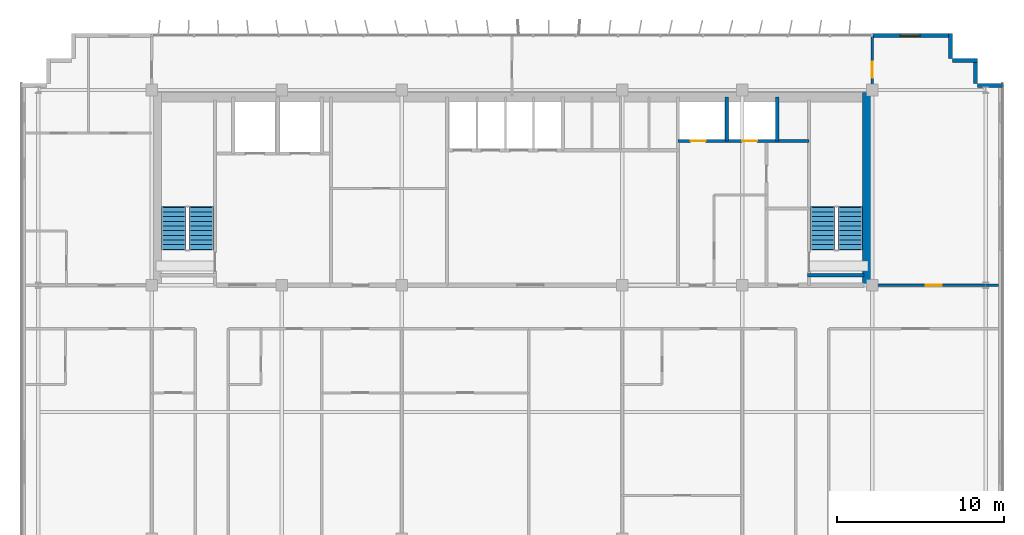
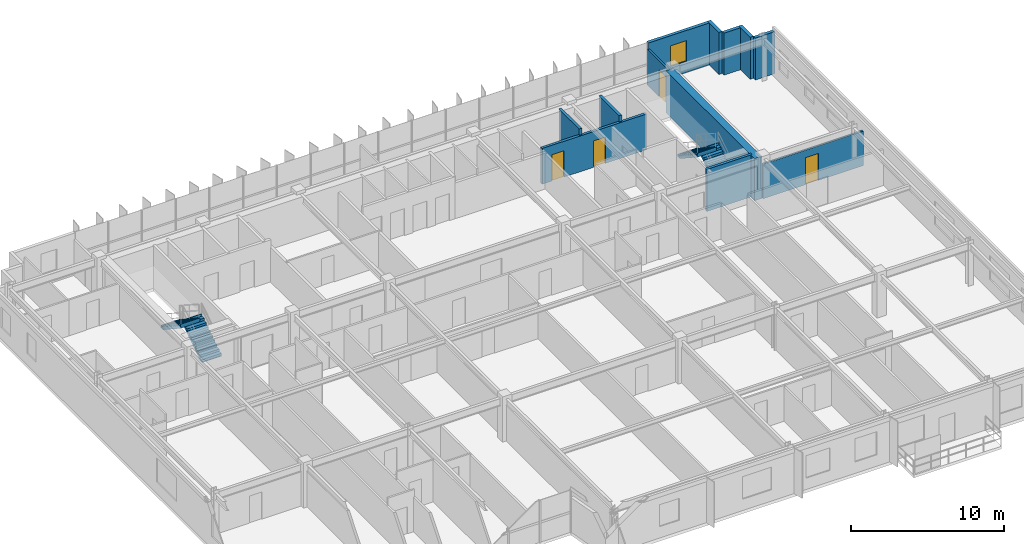
# One storey, part 22 of 24: 12 walls, 4 doors, 4 stair flights, 1 window, 5 openings, 2 elements without a shape of their own.
"""IFC4 building model written with IfcOpenShell, lengths in metres."""

from ifc_helpers import new_model, si_unit, direction, frame, frame_2d, origin, place, context, subcontext, project, spatial, polyline, rectangle, outline, extrude, source, transform, mapped, material, layer, layer_set, type_object, element, fill, aggregate, save


model = new_model("IFC4")

# Units and contexts
model_context = context("Model", 3, precision=1e-05, world=origin(), true_north=direction((0.0, 1.0)))
body_context = subcontext(model_context, "Body", "Model", "MODEL_VIEW")
ifc_project = project(units=[si_unit("LENGTHUNIT", "METRE"), si_unit("AREAUNIT", "SQUARE_METRE"), si_unit("VOLUMEUNIT", "CUBIC_METRE"), si_unit("PLANEANGLEUNIT", "RADIAN"), si_unit("MASSUNIT", "GRAM", prefix="KILO")], contexts=[model_context])

# Site, building, storey
site_placement = place(None, origin())
site = spatial("IfcSite", under=ifc_project, at=site_placement, CompositionType="ELEMENT")
building_placement = place(site_placement, origin())
building = spatial("IfcBuilding", under=site, at=building_placement, Name="Trelvane Seafront Commons", CompositionType="ELEMENT")
storey_placement = place(building_placement, frame((0.0, 0.0, 175.300048828125)))
storey = spatial("IfcBuildingStorey", under=building, at=storey_placement, Name="L46", CompositionType="ELEMENT", Elevation=175.300048828125)

# Wall, opening, window
ifc_material_1 = material(Name="Precast concrete C40/50", Category="concrete")
ifc_layer_1 = layer(ifc_material_1, 0.239990234375, Name="ARCH-WALL-EXT240")
ifc_layer_set_1 = layer_set([ifc_layer_1], Name="Precast concrete C40/50")
wall_type_1 = type_object("IfcWallType", Name="ARCH-WALL-EXT240", PredefinedType="SOLIDWALL", material=ifc_layer_set_1)
wall_1_placement = place(storey_placement, frame((58.800048828125, 48.3701171875, 0.0), z_axis=(0.0, 0.0, 1.0), x_axis=(1.0, 0.0, 0.0)))
wall_1 = element("IfcWall", 1, at=wall_1_placement, inside=storey, type_object=wall_type_1, Name="EW-L46-NE-0910", PredefinedType="SOLIDWALL", context=body_context, shape_type="SweptSolid", body=[
    extrude(rectangle(XDim=4.699951171875, YDim=0.239990234375, at=frame_2d((2.35009765625, 0.0))), origin(), (0.0, 0.0, 1.0), 3.349853515625),
])
opening_1_placement = place(wall_1_placement, frame((1.658935546875, 0.0, 0.89990234375)))
opening_1 = element("IfcOpeningElement", 2, at=opening_1_placement, cuts=wall_1, Name="Opening W05", PredefinedType="OPENING", context=body_context, shape_type="SweptSolid", body=[
    extrude(rectangle(XDim=1.199951171875, YDim=1.64990234375, at=frame_2d((0.60009765625, 0.824951171875))), frame((0.0, 0.1298828125, 0.0), z_axis=(0.0, -1.0, 0.0), x_axis=(1.0, 0.0, 0.0)), (0.0, 0.0, 1.0), 0.260009765625),
])
ifc_material_2 = material(Name="Low-E coastal double glazing", Category="glass")
window_type = type_object("IfcWindowType", Name="ARCH-WIN-W05", PartitioningType="SINGLE_PANEL", PredefinedType="WINDOW", material=ifc_material_2)
shared_shape_1 = source(origin(), body_context, "Body", "SweptSolid", [
    extrude(rectangle(XDim=1.199951171875, YDim=1.64990234375, at=frame_2d((0.60009765625, 0.824951171875))), frame((0.0, 0.030029296875, 0.0), z_axis=(0.0, -1.0, 0.0), x_axis=(1.0, 0.0, 0.0)), (0.0, 0.0, 1.0), 0.06005859375),
])
window_placement = place(opening_1_placement, origin())
window = element("IfcWindow", 3, at=window_placement, inside=storey, type_object=window_type, Name="WIN-L46-01091", OverallHeight=1.64990234375, OverallWidth=1.199951171875, PartitioningType="SINGLE_PANEL", PredefinedType="WINDOW", context=body_context, shape_type="MappedRepresentation", body=[
    mapped(shared_shape_1, transform((0.0, 0.0, 0.0), x_axis=(1.0, 0.0, 0.0), y_axis=(0.0, 1.0, 0.0), z_axis=(0.0, 0.0, 1.0), scale=1.0)),
])
fill(opening_1, window)

# Walls
for number, where, z_axis, x_axis, name in (
    (4, (63.47998046875, 48.5, 0.0), (0.0, 0.0, 1.0), (0.0, -1.0, 0.0), "EW-L46-00919"),
    (5, (63.60009765625, 46.8798828125, 0.0), (0.0, 0.0, 1.0), (1.0, 0.0, 0.0), "EW-L46-00920"),
    (6, (64.97998046875, 47.0, 0.0), (0.0, 0.0, 1.0), (0.0, -1.0, 0.0), "EW-L46-00921"),
    (7, (65.10009765625, 45.3798828125, 0.0), (0.0, 0.0, 1.0), (1.0, 0.0, 0.0), "EW-L46-00922"),
):
    element("IfcWall", number, at=place(storey_placement, frame(where, z_axis=z_axis, x_axis=x_axis)), inside=storey, type_object=wall_type_1, Name=name, PredefinedType="SOLIDWALL", context=body_context, shape_type="SweptSolid", body=[
        extrude(rectangle(XDim=1.5, YDim=0.239990234375, at=frame_2d((0.75, 0.0))), origin(), (0.0, 0.0, 1.0), 3.349853515625),
    ])

# Wall, opening, door
ifc_material_3 = material(Name="Gypsum Drywall Acoustic Partition")
ifc_layer_2 = layer(ifc_material_3, 0.14990234375, Name="ARCH-WALL-PART150")
ifc_layer_set_2 = layer_set([ifc_layer_2], Name="Gypsum Drywall Acoustic Partition")
wall_type_2 = type_object("IfcWallType", Name="ARCH-WALL-PART150", PredefinedType="PARTITIONING", material=ifc_layer_set_2)
wall_2_placement = place(storey_placement, frame((58.800048828125, 33.39990234375, 0.0), z_axis=(0.0, 0.0, 1.0), x_axis=(1.0, 0.0, 0.0)))
wall_2 = element("IfcWall", 8, at=wall_2_placement, inside=storey, type_object=wall_type_2, Name="W-L46-NE-ENT-042", PredefinedType="PARTITIONING", context=body_context, shape_type="SweptSolid", body=[
    extrude(rectangle(XDim=7.550048828125, YDim=0.14990234375, at=frame_2d((3.77490234375, 0.0))), origin(), (0.0, 0.0, 1.0), 2.75),
])
opening_2_placement = place(wall_2_placement, frame((3.199951171875, 0.0, 0.0)))
opening_2 = element("IfcOpeningElement", 9, at=opening_2_placement, cuts=wall_2, Name="Opening FD-L46-23", PredefinedType="OPENING", context=body_context, shape_type="SweptSolid", body=[
    extrude(rectangle(XDim=0.949951171875, YDim=2.14990234375, at=frame_2d((0.47509765625, 1.074951171875))), frame((0.0, 0.0849609375, 0.0), z_axis=(0.0, -1.0, 0.0), x_axis=(1.0, 0.0, 0.0)), (0.0, 0.0, 1.0), 0.169921875),
])
ifc_material_4 = material(Name="Powder-coated aluminium frame", Category="aluminium")
door_type_1 = type_object("IfcDoorType", Name="ARCH-DR-FD60-950", OperationType="NOTDEFINED", PredefinedType="DOOR", material=ifc_material_4)
shared_shape_2 = source(origin(), body_context, "Body", "SweptSolid", [
    extrude(rectangle(XDim=0.949951171875, YDim=2.14990234375, at=frame_2d((0.47509765625, 1.074951171875))), frame((0.0, 0.02490234375, 0.0), z_axis=(0.0, -1.0, 0.0), x_axis=(1.0, 0.0, 0.0)), (0.0, 0.0, 1.0), 0.050048828125),
])
door_1_placement = place(opening_2_placement, origin())
door_1 = element("IfcDoor", 10, at=door_1_placement, inside=storey, type_object=door_type_1, Name="L46 NE Suite Entrance Door", OperationType="SINGLE_SWING_LEFT", OverallHeight=2.14990234375, OverallWidth=0.949951171875, PredefinedType="DOOR", context=body_context, shape_type="MappedRepresentation", body=[
    mapped(shared_shape_2, transform((0.0, 0.0, 0.0), x_axis=(1.0, 0.0, 0.0), y_axis=(0.0, 1.0, 0.0), z_axis=(0.0, 0.0, 1.0), scale=1.0)),
])
fill(opening_2, door_1)

wall_3_placement = place(storey_placement, frame((58.800048828125, 44.75, 0.0), z_axis=(0.0, 0.0, 1.0), x_axis=(0.0, 1.0, 0.0)))
wall_3 = element("IfcWall", 11, at=wall_3_placement, inside=storey, type_object=wall_type_2, Name="W-L46-N-LINK-E-045", PredefinedType="PARTITIONING", context=body_context, shape_type="SweptSolid", body=[
    extrude(rectangle(XDim=3.610107421875, YDim=0.14990234375, at=frame_2d((1.80517578125, 0.0))), origin(), (0.0, 0.0, 1.0), 2.849853515625),
])
opening_3_placement = place(wall_3_placement, frame((1.10009765625, 0.0, 0.0)))
opening_3 = element("IfcOpeningElement", 12, at=opening_3_placement, cuts=wall_3, Name="Opening FD-L46-26", PredefinedType="OPENING", context=body_context, shape_type="SweptSolid", body=[
    extrude(rectangle(XDim=0.949951171875, YDim=2.14990234375, at=frame_2d((0.47509765625, 1.074951171875))), frame((0.0, 0.0849609375, 0.0), z_axis=(0.0, -1.0, 0.0), x_axis=(1.0, 0.0, 0.0)), (0.0, 0.0, 1.0), 0.169921875),
])
door_2_placement = place(opening_3_placement, origin())
door_2 = element("IfcDoor", 13, at=door_2_placement, inside=storey, type_object=door_type_1, Name="L46 Door 26", OperationType="SINGLE_SWING_RIGHT", OverallHeight=2.14990234375, OverallWidth=0.949951171875, PredefinedType="DOOR", context=body_context, shape_type="MappedRepresentation", body=[
    mapped(shared_shape_2, transform((0.0, 0.0, 0.0), x_axis=(1.0, 0.0, 0.0), y_axis=(0.0, 1.0, 0.0), z_axis=(0.0, 0.0, 1.0), scale=1.0)),
])
fill(opening_3, door_2)

# Wall, openings, doors
ifc_material_5 = material(Name="Concrete C40/50", Category="concrete")
ifc_layer_3 = layer(ifc_material_5, 0.199951171875, Name="ARCH-WALL-SHAFT200")
ifc_layer_set_3 = layer_set([ifc_layer_3], Name="Concrete C40/50")
wall_type_3 = type_object("IfcWallType", Name="ARCH-WALL-SHAFT200", PredefinedType="SOLIDWALL", material=ifc_layer_set_3)
wall_4_placement = place(storey_placement, frame((47.14990234375, 42.050048828125, 0.0), z_axis=(0.0, 0.0, 1.0), x_axis=(1.0, 0.0, 0.0)))
wall_4 = element("IfcWall", 14, at=wall_4_placement, inside=storey, type_object=wall_type_3, Name="W-L46-RSR-S-028", PredefinedType="SOLIDWALL", context=body_context, shape_type="SweptSolid", body=[
    extrude(rectangle(XDim=7.85009765625, YDim=0.199951171875, at=frame_2d((3.925048828125, 0.0))), origin(), (0.0, 0.0, 1.0), 2.849853515625),
])
opening_4_placement = place(wall_4_placement, frame((0.75, 0.0, 0.0)))
opening_4 = element("IfcOpeningElement", 15, at=opening_4_placement, cuts=wall_4, Name="Opening FD-L46-13", PredefinedType="OPENING", context=body_context, shape_type="SweptSolid", body=[
    extrude(rectangle(XDim=0.89990234375, YDim=2.10009765625, at=frame_2d((0.449951171875, 1.050048828125))), frame((0.0, 0.10986328125, 0.0), z_axis=(0.0, -1.0, 0.0), x_axis=(1.0, 0.0, 0.0)), (0.0, 0.0, 1.0), 0.219970703125),
])
opening_5_placement = place(wall_4_placement, frame((3.85009765625, 0.0, 0.0)))
opening_5 = element("IfcOpeningElement", 16, at=opening_5_placement, cuts=wall_4, Name="Opening FD-L46-14", PredefinedType="OPENING", context=body_context, shape_type="SweptSolid", body=[
    extrude(rectangle(XDim=0.89990234375, YDim=2.10009765625, at=frame_2d((0.449951171875, 1.050048828125))), frame((0.0, 0.10986328125, 0.0), z_axis=(0.0, -1.0, 0.0), x_axis=(1.0, 0.0, 0.0)), (0.0, 0.0, 1.0), 0.219970703125),
])
door_type_2 = type_object("IfcDoorType", Name="ARCH-DR-FD60-900", OperationType="NOTDEFINED", PredefinedType="DOOR", material=ifc_material_4)
shared_shape_3 = source(origin(), body_context, "Body", "SweptSolid", [
    extrude(rectangle(XDim=0.89990234375, YDim=2.10009765625, at=frame_2d((0.449951171875, 1.050048828125))), frame((0.0, 0.02490234375, 0.0), z_axis=(0.0, -1.0, 0.0), x_axis=(1.0, 0.0, 0.0)), (0.0, 0.0, 1.0), 0.050048828125),
])
door_3_placement = place(opening_4_placement, origin())
door_3 = element("IfcDoor", 17, at=door_3_placement, inside=storey, type_object=door_type_2, Name="L46 Electrical Riser Access Door", OperationType="SINGLE_SWING_LEFT", OverallHeight=2.10009765625, OverallWidth=0.89990234375, PredefinedType="DOOR", context=body_context, shape_type="MappedRepresentation", body=[
    mapped(shared_shape_3, transform((0.0, 0.0, 0.0), x_axis=(1.0, 0.0, 0.0), y_axis=(0.0, 1.0, 0.0), z_axis=(0.0, 0.0, 1.0), scale=1.0)),
])
fill(opening_4, door_3)
door_4_placement = place(opening_5_placement, origin())
door_4 = element("IfcDoor", 18, at=door_4_placement, inside=storey, type_object=door_type_2, Name="L46 Mechanical Riser Access Door", OperationType="SINGLE_SWING_RIGHT", OverallHeight=2.10009765625, OverallWidth=0.89990234375, PredefinedType="DOOR", context=body_context, shape_type="MappedRepresentation", body=[
    mapped(shared_shape_3, transform((0.0, 0.0, 0.0), x_axis=(1.0, 0.0, 0.0), y_axis=(0.0, 1.0, 0.0), z_axis=(0.0, 0.0, 1.0), scale=1.0)),
])
fill(opening_5, door_4)

# Walls
for number, where, z_axis, x_axis, name in (
    (19, (50.080078125, 42.050048828125, 0.0), (0.0, 0.0, 1.0), (0.0, 1.0, 0.0), "W-L46-RSR-DIV-029"),
    (20, (53.10009765625, 42.050048828125, 0.0), (0.0, 0.0, 1.0), (0.0, 1.0, 0.0), "W-L46-RSR-E-030"),
):
    element("IfcWall", number, at=place(storey_placement, frame(where, z_axis=z_axis, x_axis=x_axis)), inside=storey, type_object=wall_type_3, Name=name, PredefinedType="SOLIDWALL", context=body_context, shape_type="SweptSolid", body=[
        extrude(rectangle(XDim=2.64990234375, YDim=0.199951171875, at=frame_2d((1.324951171875, 0.0))), origin(), (0.0, 0.0, 1.0), 3.349853515625),
    ])
ifc_material_6 = material(Name="Concrete C50/60", Category="concrete")
ifc_layer_4 = layer(ifc_material_6, 0.550048828125, Name="STR-WALL-CORE550")
ifc_layer_set_4 = layer_set([ifc_layer_4], Name="Concrete C50/60")
wall_type_4 = type_object("IfcWallType", Name="STR-WALL-CORE550", PredefinedType="SHEAR", material=ifc_layer_set_4)
wall_5_placement = place(storey_placement, frame((58.47509765625, 33.39990234375, 0.0), z_axis=(0.0, 0.0, 1.0), x_axis=(0.0, 1.0, 0.0)))
element("IfcWall", 21, at=wall_5_placement, inside=storey, type_object=wall_type_4, Name="W-L46-CE-END-003", PredefinedType="SHEAR", context=body_context, shape_type="SweptSolid", body=[
    extrude(rectangle(XDim=11.550048828125, YDim=0.550048828125, at=frame_2d((5.77490234375, 0.0))), origin(), (0.0, 0.0, 1.0), 3.349853515625),
])
ifc_layer_5 = layer(ifc_material_6, 0.199951171875, Name="STR-WALL-STAIR200")
ifc_layer_set_5 = layer_set([ifc_layer_5], Name="Concrete C50/60")
wall_type_5 = type_object("IfcWallType", Name="STR-WALL-STAIR200", PredefinedType="SHEAR", material=ifc_layer_set_5)
wall_6_placement = place(storey_placement, frame((54.89990234375, 34.0, 0.0), z_axis=(0.0, 0.0, 1.0), x_axis=(1.0, 0.0, 0.0)))
element("IfcWall", 22, at=wall_6_placement, inside=storey, type_object=wall_type_5, Name="W-L46-ST2-S-006", PredefinedType="SHEAR", context=body_context, shape_type="SweptSolid", body=[
    extrude(rectangle(XDim=3.400146484375, YDim=0.199951171875, at=frame_2d((1.7001953125, 0.0))), origin(), (0.0, 0.0, 1.0), 3.349853515625),
])

# Stair, stair flights
stair_type_1 = type_object("IfcStairType", Name="ARCH-STR-ST-1-R20-180", PredefinedType="HALF_TURN_STAIR", material=ifc_material_5)
stair_1_placement = place(storey_placement, origin())
stair_1 = element("IfcStair", 23, at=stair_1_placement, inside=storey, type_object=stair_type_1, Name="L46 West Protected Firefighting Exit Stair ST-1", PredefinedType="HALF_TURN_STAIR")
stair_flight_type_1 = type_object("IfcStairFlightType", Name="ARCH-FLG-ST-1-R20-180", PredefinedType="STRAIGHT", material=ifc_material_5)
shared_shape_4 = source(origin(), body_context, "Body", "SweptSolid", [
    extrude(outline(polyline([(-0.050048828125, -0.02001953125), (-0.050048828125, 0.0), (0.0, 0.0), (0.0, 0.179931640625), (0.280029296875, 0.179931640625), (0.280029296875, 0.360107421875), (0.56005859375, 0.360107421875), (0.56005859375, 0.5400390625), (0.840087890625, 0.5400390625), (0.840087890625, 0.719970703125), (1.1201171875, 0.719970703125), (1.1201171875, 0.89990234375), (1.39990234375, 0.89990234375), (1.39990234375, 1.080078125), (1.679931640625, 1.080078125), (1.679931640625, 1.260009765625), (1.9599609375, 1.260009765625), (1.9599609375, 1.43994140625), (2.239990234375, 1.43994140625), (2.239990234375, 1.6201171875), (2.52001953125, 1.6201171875), (2.52001953125, 1.800048828125), (2.570068359375, 1.800048828125), (2.570068359375, 1.650146484375), (2.52001953125, 1.44189453125), (0.277099609375, -0.02001953125), (-0.050048828125, -0.02001953125)])), frame((0.0, 0.72509765625, 0.0), z_axis=(0.0, -1.0, 0.0), x_axis=(1.0, 0.0, 0.0)), (0.0, 0.0, 1.0), 1.449951171875),
])
stair_flight_1_placement = place(storey_placement, frame((18.574951171875, 35.550048828125, 0.0), z_axis=(0.0, 0.0, 1.0), x_axis=(0.0, 1.0, 0.0)))
stair_flight_1 = element("IfcStairFlight", 24, at=stair_flight_1_placement, type_object=stair_flight_type_1, Name="ST-1 flight 1", NumberOfRisers=10, NumberOfTreads=9, PredefinedType="STRAIGHT", RiserHeight=0.18, TreadLength=0.28, context=body_context, shape_type="MappedRepresentation", body=[
    mapped(shared_shape_4, transform((0.0, 0.0, 0.0), x_axis=(1.0, 0.0, 0.0), y_axis=(0.0, 1.0, 0.0), z_axis=(0.0, 0.0, 1.0), scale=1.0)),
])
stair_flight_2_placement = place(storey_placement, frame((16.925048828125, 38.070068359375, 1.800048828125), z_axis=(0.0, 0.0, 1.0), x_axis=(0.0, -1.0, 0.0)))
stair_flight_2 = element("IfcStairFlight", 25, at=stair_flight_2_placement, type_object=stair_flight_type_1, Name="ST-1 flight 2", NumberOfRisers=10, NumberOfTreads=9, PredefinedType="STRAIGHT", RiserHeight=0.18, TreadLength=0.28, context=body_context, shape_type="MappedRepresentation", body=[
    mapped(shared_shape_4, transform((0.0, 0.0, 0.0), x_axis=(1.0, 0.0, 0.0), y_axis=(0.0, 1.0, 0.0), z_axis=(0.0, 0.0, 1.0), scale=1.0)),
])
aggregate(stair_1, [stair_flight_1, stair_flight_2])

stair_type_2 = type_object("IfcStairType", Name="ARCH-STR-ST-2-R20-180", PredefinedType="HALF_TURN_STAIR", material=ifc_material_5)
stair_2_placement = place(storey_placement, origin())
stair_2 = element("IfcStair", 26, at=stair_2_placement, inside=storey, type_object=stair_type_2, Name="L46 East Protected Firefighting Exit Stair ST-2", PredefinedType="HALF_TURN_STAIR")
stair_flight_type_2 = type_object("IfcStairFlightType", Name="ARCH-FLG-ST-2-R20-180", PredefinedType="STRAIGHT", material=ifc_material_5)
stair_flight_3_placement = place(storey_placement, frame((57.47509765625, 35.550048828125, 0.0), z_axis=(0.0, 0.0, 1.0), x_axis=(0.0, 1.0, 0.0)))
stair_flight_3 = element("IfcStairFlight", 27, at=stair_flight_3_placement, type_object=stair_flight_type_2, Name="ST-2 flight 1", NumberOfRisers=10, NumberOfTreads=9, PredefinedType="STRAIGHT", RiserHeight=0.18, TreadLength=0.28, context=body_context, shape_type="MappedRepresentation", body=[
    mapped(shared_shape_4, transform((0.0, 0.0, 0.0), x_axis=(1.0, 0.0, 0.0), y_axis=(0.0, 1.0, 0.0), z_axis=(0.0, 0.0, 1.0), scale=1.0)),
])
stair_flight_4_placement = place(storey_placement, frame((55.824951171875, 38.070068359375, 1.800048828125), z_axis=(0.0, 0.0, 1.0), x_axis=(0.0, -1.0, 0.0)))
stair_flight_4 = element("IfcStairFlight", 28, at=stair_flight_4_placement, type_object=stair_flight_type_2, Name="ST-2 flight 2", NumberOfRisers=10, NumberOfTreads=9, PredefinedType="STRAIGHT", RiserHeight=0.18, TreadLength=0.28, context=body_context, shape_type="MappedRepresentation", body=[
    mapped(shared_shape_4, transform((0.0, 0.0, 0.0), x_axis=(1.0, 0.0, 0.0), y_axis=(0.0, 1.0, 0.0), z_axis=(0.0, 0.0, 1.0), scale=1.0)),
])
aggregate(stair_2, [stair_flight_3, stair_flight_4])

save(model, "model.ifc")
